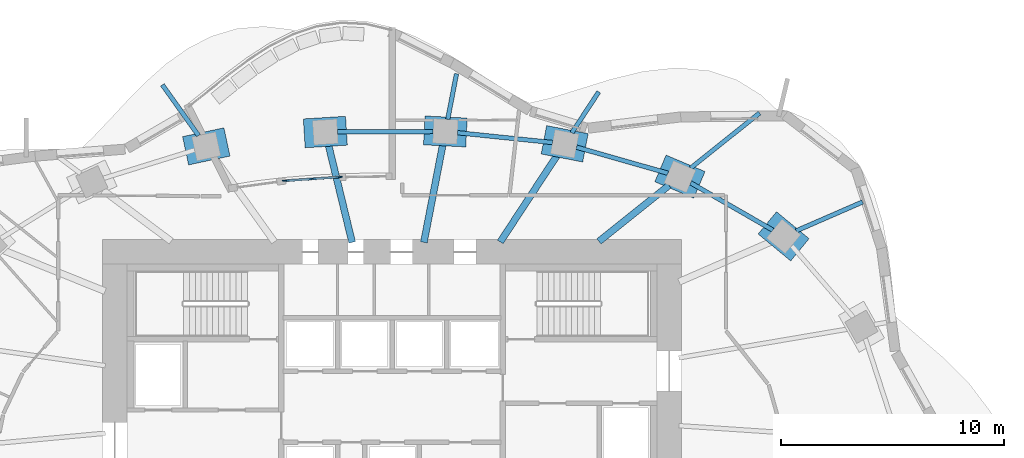
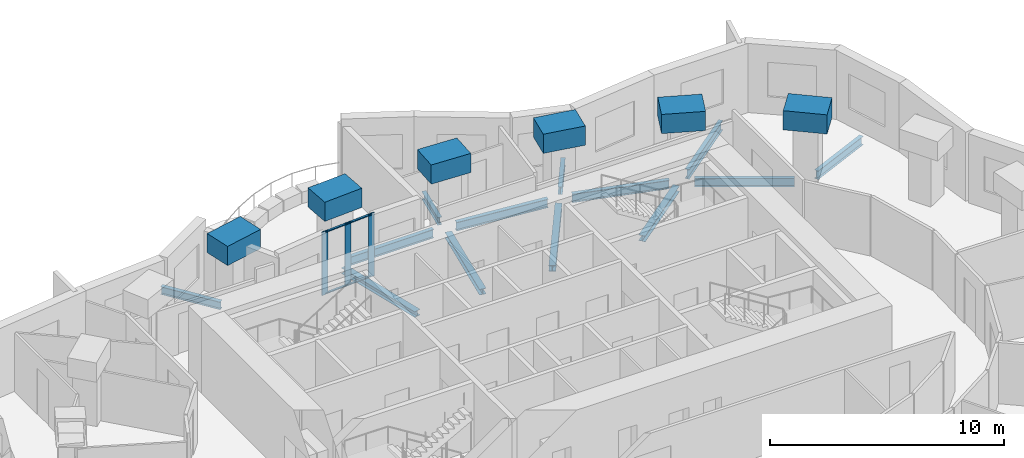
# One storey, part 3 of 11: 19 beams, 7 members, 1 element without a shape of its own.
"""IFC4 building model written with IfcOpenShell, lengths in metres."""

from ifc_helpers import new_model, si_unit, direction, frame, origin, origin_2d, place, context, subcontext, project, spatial, rectangle, i_section, extrude, material, material_profile, profile_set, type_object, element, aggregate, save


model = new_model("IFC4")

# Units and contexts
model_context = context("Model", 3, precision=1e-05, world=origin(), true_north=direction((0.0, 1.0)))
body_context = subcontext(model_context, "Body", "Model", "MODEL_VIEW")
ifc_project = project(units=[si_unit("LENGTHUNIT", "METRE"), si_unit("AREAUNIT", "SQUARE_METRE"), si_unit("VOLUMEUNIT", "CUBIC_METRE"), si_unit("PLANEANGLEUNIT", "RADIAN"), si_unit("MASSUNIT", "GRAM", prefix="KILO")], contexts=[model_context])

# Site, building, storey
site_placement = place(None, origin())
site = spatial("IfcSite", under=ifc_project, at=site_placement, CompositionType="ELEMENT")
building_placement = place(site_placement, origin())
building = spatial("IfcBuilding", under=site, at=building_placement, Name="Rubra Terraces Tower", CompositionType="ELEMENT")
storey_placement = place(building_placement, frame((0.0, 0.0, 165.60009765625)))
storey = spatial("IfcBuildingStorey", under=building, at=storey_placement, Name="L40", CompositionType="ELEMENT", Elevation=165.60009765625)

# Beams
ifc_material_1 = material(Name="Steel Q355B", Category="steel")
ifc_material_profile_1 = material_profile(ifc_material_1, i_section(OverallWidth=0.199951171875, OverallDepth=0.39990234375, WebThickness=0.008056640625, FlangeThickness=0.012939453125, at=origin_2d()), Name="HN 400x200x8x13")
ifc_profile_set_1 = profile_set([ifc_material_profile_1], Name="Steel Q355B")
beam_type_1 = type_object("IfcBeamType", Name="CANTILEVER BEAM HN 400x200x8x13", PredefinedType="BEAM", material=ifc_profile_set_1)
beam_1_placement = place(storey_placement, frame((8.076904296875, 16.803955078125, -0.400146484375), z_axis=(0.548734144153, 0.835996913296, 0.0), x_axis=(-0.835996913296, 0.548734144153, 0.0)))
element("IfcBeam", 1, at=beam_1_placement, inside=storey, type_object=beam_type_1, Name="beam-L40-cant-05", PredefinedType="BEAM", context=body_context, shape_type="SweptSolid", body=[
    extrude(i_section(OverallWidth=0.199951171875, OverallDepth=0.39990234375, WebThickness=0.008056640625, FlangeThickness=0.012939453125, at=origin_2d()), origin(), (0.0, 0.0, 1.0), 2.196044921875),
])
beam_2_placement = place(storey_placement, frame((2.498046875, 17.406982421875, -0.400146484375), z_axis=(0.189664702906, 0.981848919372, 0.0), x_axis=(-0.981848919372, 0.189664702906, 0.0)))
element("IfcBeam", 2, at=beam_2_placement, inside=storey, type_object=beam_type_1, Name="beam-L40-cant-06", PredefinedType="BEAM", context=body_context, shape_type="SweptSolid", body=[
    extrude(i_section(OverallWidth=0.199951171875, OverallDepth=0.39990234375, WebThickness=0.008056640625, FlangeThickness=0.012939453125, at=origin_2d()), origin(), (0.0, 0.0, 1.0), 2.082763671875),
])
beam_3_placement = place(storey_placement, frame((-8.695068359375, 16.679931640625, -0.400146484375), z_axis=(-0.581122424516, 0.813816151059, 0.0), x_axis=(-0.813816151059, -0.581122424516, 0.0)))
element("IfcBeam", 3, at=beam_3_placement, inside=storey, type_object=beam_type_1, Name="beam-L40-cant-08", PredefinedType="BEAM", context=body_context, shape_type="SweptSolid", body=[
    extrude(i_section(OverallWidth=0.199951171875, OverallDepth=0.39990234375, WebThickness=0.008056640625, FlangeThickness=0.012939453125, at=origin_2d()), origin(), (0.0, 0.0, 1.0), 2.79296875),
])
ifc_material_profile_2 = material_profile(ifc_material_1, i_section(OverallWidth=0.198974609375, OverallDepth=0.446044921875, WebThickness=0.008056640625, FlangeThickness=0.011962890625, at=origin_2d()), Name="HN 446x199x8x12")
ifc_profile_set_2 = profile_set([ifc_material_profile_2], Name="Steel Q355B")
beam_type_2 = type_object("IfcBeamType", Name="CANTILEVER BEAM HN 446x199x8x12", PredefinedType="BEAM", material=ifc_profile_set_2)
beam_4_placement = place(storey_placement, frame((18.14990234375, 12.39697265625, -0.423095703125), z_axis=(0.916903974268, 0.399107882622, 0.0), x_axis=(-0.399107882622, 0.916903974268, 0.0)))
element("IfcBeam", 4, at=beam_4_placement, inside=storey, type_object=beam_type_2, Name="beam-L40-cant-03", PredefinedType="BEAM", context=body_context, shape_type="SweptSolid", body=[
    extrude(i_section(OverallWidth=0.198974609375, OverallDepth=0.446044921875, WebThickness=0.008056640625, FlangeThickness=0.011962890625, at=origin_2d()), origin(), (0.0, 0.0, 1.0), 3.25),
])
ifc_material_profile_3 = material_profile(ifc_material_1, i_section(OverallWidth=0.198974609375, OverallDepth=0.49609375, WebThickness=0.009033203125, FlangeThickness=0.013916015625, at=origin_2d()), Name="HN 496x199x9x14")
ifc_profile_set_3 = profile_set([ifc_material_profile_3], Name="Steel Q355B")
beam_type_3 = type_object("IfcBeamType", Name="CANTILEVER BEAM HN 496x199x9x14", PredefinedType="BEAM", material=ifc_profile_set_3)
beam_5_placement = place(storey_placement, frame((13.416015625, 15.222900390625, -0.447998046875), z_axis=(0.781103955528, 0.624401001487, 0.0), x_axis=(-0.624401001487, 0.781103955528, 0.0)))
element("IfcBeam", 5, at=beam_5_placement, inside=storey, type_object=beam_type_3, Name="beam-L40-cant-04", PredefinedType="BEAM", context=body_context, shape_type="SweptSolid", body=[
    extrude(i_section(OverallWidth=0.198974609375, OverallDepth=0.49609375, WebThickness=0.009033203125, FlangeThickness=0.013916015625, at=origin_2d()), origin(), (0.0, 0.0, 1.0), 3.949462890625),
])
ifc_material_profile_4 = material_profile(ifc_material_1, i_section(OverallWidth=0.304931640625, OverallDepth=0.300048828125, WebThickness=0.014892578125, FlangeThickness=0.014892578125, at=origin_2d()), Name="HW 300x305x15x15")
ifc_profile_set_4 = profile_set([ifc_material_profile_4], Name="Steel Q355B")
beam_type_4 = type_object("IfcBeamType", Name="FLOOR BEAM HW 300x305x15x15", PredefinedType="BEAM", material=ifc_profile_set_4)
beam_6_placement = place(storey_placement, frame((12.43798828125, 14.44091796875, -0.35009765625), z_axis=(-0.781170160898, -0.624318171867, 0.0), x_axis=(0.624318171867, -0.781170160898, 0.0)))
element("IfcBeam", 6, at=beam_6_placement, inside=storey, type_object=beam_type_4, Name="beam-L40-floor-04", PredefinedType="BEAM", context=body_context, shape_type="SweptSolid", body=[
    extrude(i_section(OverallWidth=0.304931640625, OverallDepth=0.300048828125, WebThickness=0.014892578125, FlangeThickness=0.014892578125, at=origin_2d()), origin(), (0.0, 0.0, 1.0), 4.02978515625),
])
beam_7_placement = place(storey_placement, frame((7.425048828125, 15.81005859375, -0.35009765625), z_axis=(-0.548820601732, -0.835940157616, 0.0), x_axis=(0.835940157616, -0.548820601732, 0.0)))
element("IfcBeam", 7, at=beam_7_placement, inside=storey, type_object=beam_type_4, Name="beam-L40-floor-05", PredefinedType="BEAM", context=body_context, shape_type="SweptSolid", body=[
    extrude(i_section(OverallWidth=0.304931640625, OverallDepth=0.300048828125, WebThickness=0.014892578125, FlangeThickness=0.014892578125, at=origin_2d()), origin(), (0.0, 0.0, 1.0), 4.677490234375),
])
beam_8_placement = place(storey_placement, frame((2.285888671875, 16.31689453125, -0.35009765625), z_axis=(-0.189927794489, -0.981798061151, 0.0), x_axis=(0.981798061151, -0.189927794489, 0.0)))
element("IfcBeam", 8, at=beam_8_placement, inside=storey, type_object=beam_type_4, Name="beam-L40-floor-06", PredefinedType="BEAM", context=body_context, shape_type="SweptSolid", body=[
    extrude(i_section(OverallWidth=0.304931640625, OverallDepth=0.300048828125, WebThickness=0.014892578125, FlangeThickness=0.014892578125, at=origin_2d()), origin(), (0.0, 0.0, 1.0), 4.51708984375),
])
beam_9_placement = place(storey_placement, frame((-2.866943359375, 16.29296875, -0.35009765625), z_axis=(0.236214306521, -0.971700983531, 0.0), x_axis=(0.971700983531, 0.236214306521, 0.0)))
element("IfcBeam", 9, at=beam_9_placement, inside=storey, type_object=beam_type_4, Name="beam-L40-floor-07", PredefinedType="BEAM", context=body_context, shape_type="SweptSolid", body=[
    extrude(i_section(OverallWidth=0.304931640625, OverallDepth=0.300048828125, WebThickness=0.014892578125, FlangeThickness=0.014892578125, at=origin_2d()), origin(), (0.0, 0.0, 1.0), 4.538330078125),
])
ifc_material_profile_5 = material_profile(ifc_material_1, i_section(OverallWidth=0.198974609375, OverallDepth=0.446044921875, WebThickness=0.008056640625, FlangeThickness=0.011962890625, at=origin_2d()), Name="HN 446x199x8x12")
ifc_profile_set_5 = profile_set([ifc_material_profile_5], Name="Steel Q355B")
beam_type_5 = type_object("IfcBeamType", Name="SPANDREL BEAM HN 446x199x8x12", PredefinedType="SPANDREL", material=ifc_profile_set_5)
beam_10_placement = place(storey_placement, frame((17.10009765625, 12.428955078125, -0.423095703125), z_axis=(-0.866560147027, 0.49907265161, 0.0), x_axis=(-0.49907265161, -0.866560147027, 0.0)))
element("IfcBeam", 10, at=beam_10_placement, inside=storey, type_object=beam_type_5, Name="beam-L40-spandrel-03", PredefinedType="SPANDREL", context=body_context, shape_type="SweptSolid", body=[
    extrude(i_section(OverallWidth=0.198974609375, OverallDepth=0.446044921875, WebThickness=0.008056640625, FlangeThickness=0.011962890625, at=origin_2d()), origin(), (0.0, 0.0, 1.0), 4.26171875),
])
beam_11_placement = place(storey_placement, frame((12.39404296875, 14.98388671875, -0.423095703125), z_axis=(-0.961693978406, 0.274125321518, 0.0), x_axis=(-0.274125321518, -0.961693978406, 0.0)))
element("IfcBeam", 11, at=beam_11_placement, inside=storey, type_object=beam_type_5, Name="beam-L40-spandrel-04", PredefinedType="SPANDREL", context=body_context, shape_type="SweptSolid", body=[
    extrude(i_section(OverallWidth=0.198974609375, OverallDepth=0.446044921875, WebThickness=0.008056640625, FlangeThickness=0.011962890625, at=origin_2d()), origin(), (0.0, 0.0, 1.0), 4.27587890625),
])
beam_12_placement = place(storey_placement, frame((7.201904296875, 16.364013671875, -0.423095703125), z_axis=(-0.994691190497, 0.102904983103, 0.0), x_axis=(-0.102904983103, -0.994691190497, 0.0)))
element("IfcBeam", 12, at=beam_12_placement, inside=storey, type_object=beam_type_5, Name="beam-L40-spandrel-05", PredefinedType="SPANDREL", context=body_context, shape_type="SweptSolid", body=[
    extrude(i_section(OverallWidth=0.198974609375, OverallDepth=0.446044921875, WebThickness=0.008056640625, FlangeThickness=0.011962890625, at=origin_2d()), origin(), (0.0, 0.0, 1.0), 4.28466796875),
])
beam_13_placement = place(storey_placement, frame((1.841064453125, 16.85888671875, -0.423095703125), z_axis=(-0.999989371096, -0.004610606731, 0.0), x_axis=(0.004610606731, -0.999989371096, 0.0)))
element("IfcBeam", 13, at=beam_13_placement, inside=storey, type_object=beam_type_5, Name="beam-L40-spandrel-06", PredefinedType="SPANDREL", context=body_context, shape_type="SweptSolid", body=[
    extrude(i_section(OverallWidth=0.198974609375, OverallDepth=0.446044921875, WebThickness=0.008056640625, FlangeThickness=0.011962890625, at=origin_2d()), origin(), (0.0, 0.0, 1.0), 4.2890625),
])
ifc_material_2 = material(Name="Concrete C50", Category="concrete")
ifc_material_profile_6 = material_profile(ifc_material_2, rectangle(XDim=1.300048828125, YDim=1.0, at=origin_2d()), Name="RC 1300x1000")
ifc_profile_set_6 = profile_set([ifc_material_profile_6], Name="Concrete C50")
beam_type_6 = type_object("IfcBeamType", Name="TRANSFER NODE RC 1300x1000 C50", PredefinedType="BEAM", material=ifc_profile_set_6)
beam_14_placement = place(storey_placement, frame((18.31591796875, 11.5458984375, 3.099853515625), z_axis=(-0.770722960578, 0.637170399531, 0.0), x_axis=(-0.637170399531, -0.770722960578, 0.0)))
element("IfcBeam", 14, at=beam_14_placement, inside=storey, type_object=beam_type_6, Name="node-L41-lo-03", PredefinedType="BEAM", context=body_context, shape_type="SweptSolid", body=[
    extrude(rectangle(XDim=1.300048828125, YDim=1.0, at=origin_2d()), origin(), (0.0, 0.0, 1.0), 1.8994140625),
])
beam_15_placement = place(storey_placement, frame((13.802001953125, 14.4619140625, 3.099853515625), z_axis=(-0.921041718579, 0.389463929829, 0.0), x_axis=(-0.389463929829, -0.921041718579, 0.0)))
element("IfcBeam", 15, at=beam_15_placement, inside=storey, type_object=beam_type_6, Name="node-L41-lo-04", PredefinedType="BEAM", context=body_context, shape_type="SweptSolid", body=[
    extrude(rectangle(XDim=1.300048828125, YDim=1.0, at=origin_2d()), origin(), (0.0, 0.0, 1.0), 1.89990234375),
])
for number, where, z_axis, x_axis, name in (
    (16, (8.68408203125, 16.126953125, 3.099853515625), (-0.981882532959, 0.189490610508, 0.0), (-0.189490610508, -0.981882532959, 0.0), "node-L41-lo-05"),
    (17, (3.341064453125, 16.81494140625, 3.099853515625), (-0.998775935187, 0.049463433888, 0.0), (-0.049463433888, -0.998775935187, 0.0), "node-L41-lo-06"),
):
    element("IfcBeam", number, at=place(storey_placement, frame(where, z_axis=z_axis, x_axis=x_axis)), inside=storey, type_object=beam_type_6, Name=name, PredefinedType="BEAM", context=body_context, shape_type="SweptSolid", body=[
        extrude(rectangle(XDim=1.300048828125, YDim=1.0, at=origin_2d()), origin(), (0.0, 0.0, 1.0), 1.900390625),
    ])
for number, where, z_axis, x_axis, name in (
    (18, (-2.051025390625, 16.89501953125, 3.099853515625), (-0.998071534847, -0.06207424045, 0.0), (0.06207424045, -0.998071534847, 0.0), "node-L41-lo-07"),
    (19, (-7.41796875, 16.389892578125, 3.099853515625), (-0.978031281604, -0.208458178549, 0.0), (0.208458178549, -0.978031281604, 0.0), "node-L41-lo-08"),
):
    element("IfcBeam", number, at=place(storey_placement, frame(where, z_axis=z_axis, x_axis=x_axis)), inside=storey, type_object=beam_type_6, Name=name, PredefinedType="BEAM", context=body_context, shape_type="SweptSolid", body=[
        extrude(rectangle(XDim=1.300048828125, YDim=1.0, at=origin_2d()), origin(), (0.0, 0.0, 1.0), 1.899658203125),
    ])

# Curtain wall, members
ifc_material_3 = material(Name="Aluminium and glass", Category="aluminium")
curtain_wall_type = type_object("IfcCurtainWallType", Name="Curtain wall Terrace glazing", PredefinedType="NOTDEFINED", material=ifc_material_3)
curtain_wall_placement = place(storey_placement, origin())
curtain_wall = element("IfcCurtainWall", 20, at=curtain_wall_placement, inside=storey, type_object=curtain_wall_type, Name="Terrace glazing L40", PredefinedType="NOTDEFINED")
ifc_material_4 = material(Name="Aluminium, anodised dark grey", Category="aluminium")
ifc_material_profile_7 = material_profile(ifc_material_4, rectangle(XDim=0.050048828125, YDim=0.300048828125, at=origin_2d()), Name="AL 50x300")
ifc_profile_set_7 = profile_set([ifc_material_profile_7], Name="Aluminium, anodised dark grey")
member_type_1 = type_object("IfcMemberType", Name="Terrace glazing mullion 50 x 300", PredefinedType="MULLION", material=ifc_profile_set_7)
member_1_placement = place(storey_placement, frame((-2.384765625, 14.810546875, 0.0), z_axis=(0.0, 0.0, 1.0), x_axis=(0.067116572218, -0.997745140672, 0.0)))
member_1 = element("IfcMember", 21, at=member_1_placement, type_object=member_type_1, Name="CW3 mullion 1", PredefinedType="MULLION", context=body_context, shape_type="SweptSolid", body=[
    extrude(rectangle(XDim=0.050048828125, YDim=0.300048828125, at=origin_2d()), origin(), (0.0, 0.0, 1.0), 3.2998046875),
])
member_2_placement = place(storey_placement, frame((-3.578857421875, 14.730224609375, 0.0), z_axis=(0.0, 0.0, 1.0), x_axis=(0.067116572218, -0.997745140672, 0.0)))
member_2 = element("IfcMember", 22, at=member_2_placement, type_object=member_type_1, Name="CW3 mullion 2", PredefinedType="MULLION", context=body_context, shape_type="SweptSolid", body=[
    extrude(rectangle(XDim=0.050048828125, YDim=0.300048828125, at=origin_2d()), origin(), (0.0, 0.0, 1.0), 3.2998046875),
])
member_3_placement = place(storey_placement, frame((-4.77294921875, 14.64990234375, 0.0), z_axis=(0.0, 0.0, 1.0), x_axis=(0.067116572218, -0.997745140672, 0.0)))
member_3 = element("IfcMember", 23, at=member_3_placement, type_object=member_type_1, Name="CW3 mullion 3", PredefinedType="MULLION", context=body_context, shape_type="SweptSolid", body=[
    extrude(rectangle(XDim=0.050048828125, YDim=0.300048828125, at=origin_2d()), origin(), (0.0, 0.0, 1.0), 3.2998046875),
])
ifc_material_profile_8 = material_profile(ifc_material_4, rectangle(XDim=0.10009765625, YDim=0.050048828125, at=origin_2d()), Name="AL 100x50")
ifc_profile_set_8 = profile_set([ifc_material_profile_8], Name="Aluminium, anodised dark grey")
member_type_2 = type_object("IfcMemberType", Name="Terrace glazing transom 100 x 50", PredefinedType="USERDEFINED", material=ifc_profile_set_8)
member_4_placement = place(storey_placement, frame((-2.40966796875, 14.808837890625, 0.0498046875), z_axis=(-0.997749220118, -0.067055900221, 0.0), x_axis=(0.067055900221, -0.997749220118, 0.0)))
member_4 = element("IfcMember", 24, at=member_4_placement, type_object=member_type_2, Name="CW3 transom 1.1", ObjectType="TRANSOM", PredefinedType="USERDEFINED", context=body_context, shape_type="SweptSolid", body=[
    extrude(rectangle(XDim=0.10009765625, YDim=0.050048828125, at=origin_2d()), origin(), (0.0, 0.0, 1.0), 1.14697265625),
])
member_5_placement = place(storey_placement, frame((-2.40966796875, 14.808837890625, 3.25), z_axis=(-0.997749220118, -0.067055900221, 0.0), x_axis=(0.067055900221, -0.997749220118, 0.0)))
member_5 = element("IfcMember", 25, at=member_5_placement, type_object=member_type_2, Name="CW3 transom 1.2", ObjectType="TRANSOM", PredefinedType="USERDEFINED", context=body_context, shape_type="SweptSolid", body=[
    extrude(rectangle(XDim=0.10009765625, YDim=0.050048828125, at=origin_2d()), origin(), (0.0, 0.0, 1.0), 1.14697265625),
])
member_6_placement = place(storey_placement, frame((-3.603759765625, 14.728515625, 0.0498046875), z_axis=(-0.997749220118, -0.067055900221, 0.0), x_axis=(0.067055900221, -0.997749220118, 0.0)))
member_6 = element("IfcMember", 26, at=member_6_placement, type_object=member_type_2, Name="CW3 transom 2.1", ObjectType="TRANSOM", PredefinedType="USERDEFINED", context=body_context, shape_type="SweptSolid", body=[
    extrude(rectangle(XDim=0.10009765625, YDim=0.050048828125, at=origin_2d()), origin(), (0.0, 0.0, 1.0), 1.14697265625),
])
member_7_placement = place(storey_placement, frame((-3.603759765625, 14.728515625, 3.25), z_axis=(-0.997749220118, -0.067055900221, 0.0), x_axis=(0.067055900221, -0.997749220118, 0.0)))
member_7 = element("IfcMember", 27, at=member_7_placement, type_object=member_type_2, Name="CW3 transom 2.2", ObjectType="TRANSOM", PredefinedType="USERDEFINED", context=body_context, shape_type="SweptSolid", body=[
    extrude(rectangle(XDim=0.10009765625, YDim=0.050048828125, at=origin_2d()), origin(), (0.0, 0.0, 1.0), 1.14697265625),
])
aggregate(curtain_wall, [member_1, member_2, member_3, member_4, member_5, member_6, member_7])

save(model, "model.ifc")
